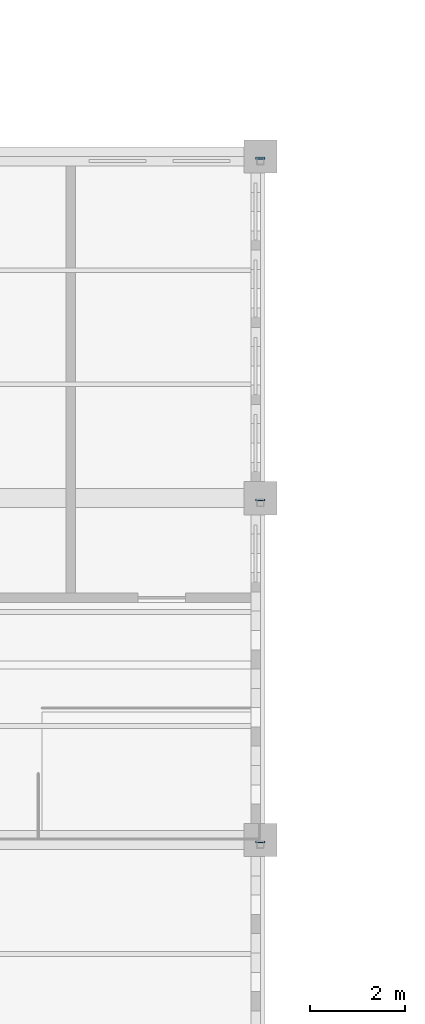
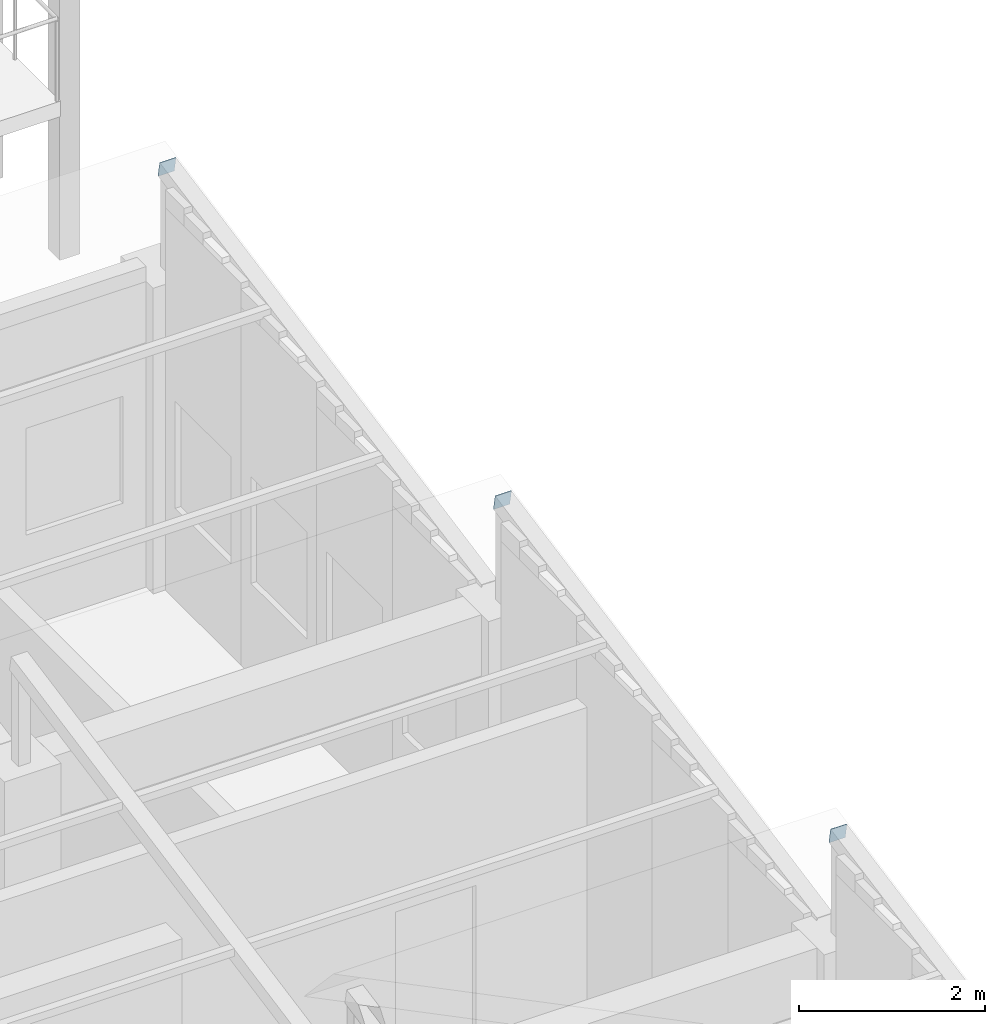
# One storey, part 94 of 103: 3 discrete accessories.
"""IFC4 building model written with IfcOpenShell, lengths in metres."""

from ifc_helpers import new_model, si_unit, direction, frame, origin, origin_2d, place, context, subcontext, project, spatial, rectangle, extrude, material, material_profile, profile_set, type_object, element, save


model = new_model("IFC4")

# Units and contexts
model_context = context("Model", 3, precision=1e-05, world=origin(), true_north=direction((0.0, 1.0)))
body_context = subcontext(model_context, "Body", "Model", "MODEL_VIEW")
ifc_project = project(units=[si_unit("LENGTHUNIT", "METRE"), si_unit("AREAUNIT", "SQUARE_METRE"), si_unit("VOLUMEUNIT", "CUBIC_METRE"), si_unit("PLANEANGLEUNIT", "RADIAN"), si_unit("MASSUNIT", "GRAM", prefix="KILO")], contexts=[model_context])

# Site, building, storey
site_placement = place(None, origin())
site = spatial("IfcSite", under=ifc_project, at=site_placement, CompositionType="ELEMENT")
building_placement = place(site_placement, origin())
building = spatial("IfcBuilding", under=site, at=building_placement, Name="Laocheng Heights Fire and Rescue Headquarters", CompositionType="ELEMENT")
storey_placement = place(building_placement, frame((0.0, 0.0, 4.199951171875)))
storey = spatial("IfcBuildingStorey", under=building, at=storey_placement, Name="L01", CompositionType="ELEMENT", Elevation=4.199951171875)

# Discrete accessories
ifc_material = material(Name="Steel Q355B", Category="steel")
ifc_material_profile = material_profile(ifc_material, rectangle(XDim=0.199951171875, YDim=0.199951171875, at=origin_2d()), Name="END CAP PLATE 200 x 200 x 8 FOR STEEL RAFTER SHS 200x200x8 SAWTOOTH")
ifc_profile_set = profile_set([ifc_material_profile], Name="Steel Q355B")
discrete_accessory_type = type_object("IfcDiscreteAccessoryType", Name="END CAP PLATE 200 x 200 x 8 FOR STEEL RAFTER SHS 200x200x8 SAWTOOTH", PredefinedType="BRACKET", material=ifc_profile_set)
for number, where, z_axis, x_axis, name in (
    (1, (126.0, 14.357421875, 5.2861328125), (0.0, 0.982872186934, 0.18428853505), (-1.0, 0.0, 0.0), "Cap plate at Sawtooth rafter end 2"),
    (2, (126.0, 21.557373046875, 5.2861328125), (0.0, 0.982872186934, 0.18428853505), (-1.0, 0.0, 0.0), "Cap plate at Sawtooth rafter end 2"),
):
    element("IfcDiscreteAccessory", number, at=place(storey_placement, frame(where, z_axis=z_axis, x_axis=x_axis)), inside=storey, type_object=discrete_accessory_type, Name=name, PredefinedType="BRACKET", context=body_context, shape_type="SweptSolid", body=[
        extrude(rectangle(XDim=0.199951171875, YDim=0.199951171875, at=origin_2d()), origin(), (0.0, 0.0, 1.0), 0.008056640625),
    ])
discrete_accessory_placement = place(storey_placement, frame((126.0, 7.1572265625, 5.2861328125), z_axis=(0.0, 0.9838699101, 0.1788854382), x_axis=(-1.0, 0.0, 0.0)))
element("IfcDiscreteAccessory", 3, at=discrete_accessory_placement, inside=storey, type_object=discrete_accessory_type, Name="Cap plate at Sawtooth rafter end 2", PredefinedType="BRACKET", context=body_context, shape_type="SweptSolid", body=[
    extrude(rectangle(XDim=0.199951171875, YDim=0.199951171875, at=origin_2d()), origin(), (0.0, 0.0, 1.0), 0.00830078125),
])

save(model, "model.ifc")
